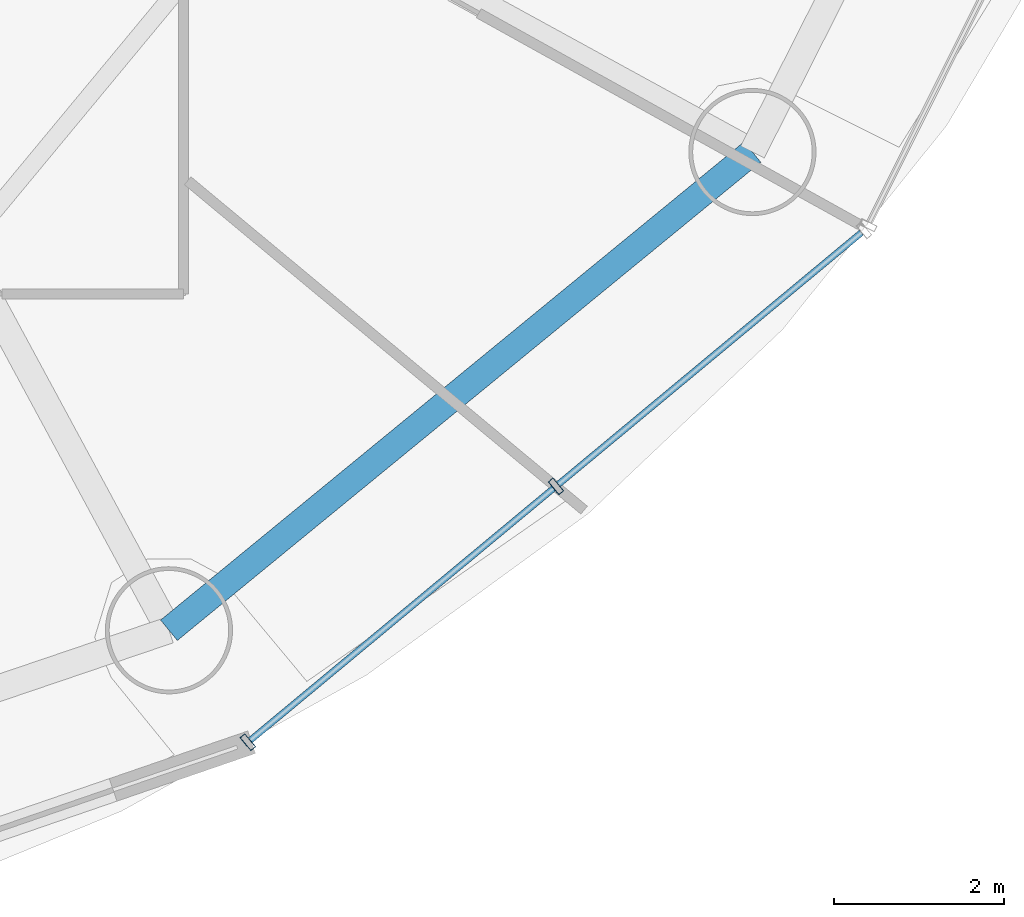
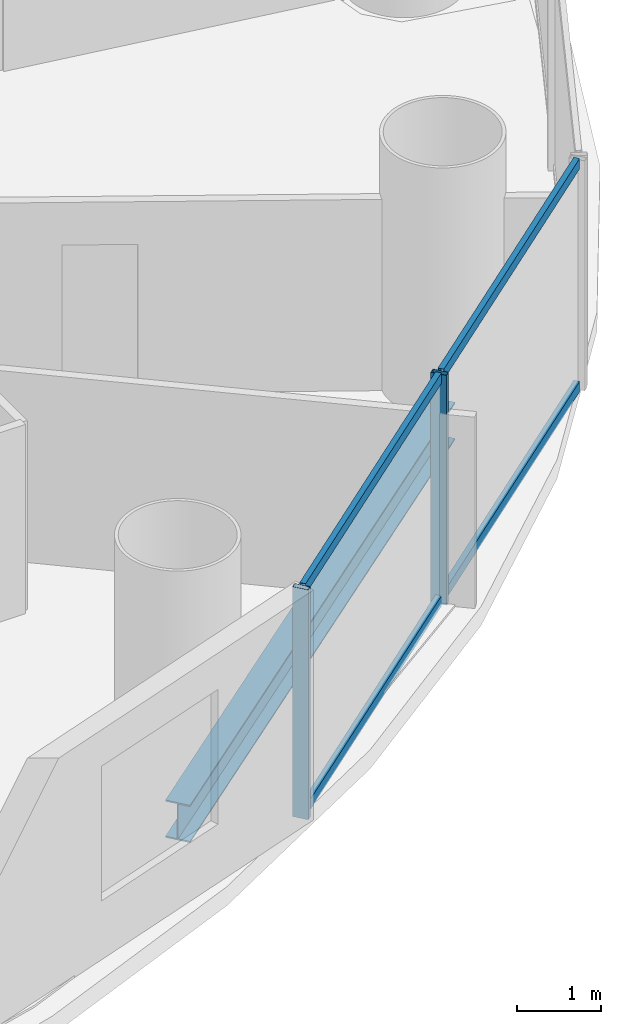
# One storey, part 11 of 29: 6 members, 1 beam, 1 element without a shape of its own.
"""IFC4 building model written with IfcOpenShell, lengths in metres."""

from ifc_helpers import new_model, si_unit, direction, frame, origin, origin_2d, place, context, subcontext, project, spatial, hollow_rectangle, i_section, extrude, source, transform, mapped, material, material_profile, profile_set, type_object, element, aggregate, save


model = new_model("IFC4")

# Units and contexts
model_context = context("Model", 3, precision=1e-05, world=origin(), true_north=direction((-0.2419218956, 0.970295726276)))
body_context = subcontext(model_context, "Body", "Model", "MODEL_VIEW")
ifc_project = project(units=[si_unit("LENGTHUNIT", "METRE"), si_unit("AREAUNIT", "SQUARE_METRE"), si_unit("VOLUMEUNIT", "CUBIC_METRE"), si_unit("PLANEANGLEUNIT", "RADIAN"), si_unit("MASSUNIT", "GRAM", prefix="KILO")], contexts=[model_context])

# Site, building, storey
site_placement = place(None, origin())
site = spatial("IfcSite", under=ifc_project, at=site_placement, CompositionType="ELEMENT")
building_placement = place(site_placement, origin())
building = spatial("IfcBuilding", under=site, at=building_placement, Name="Cobrevalo Terracotta Tower", CompositionType="ELEMENT")
storey_placement = place(building_placement, frame((0.0, 0.0, 87.0)))
storey = spatial("IfcBuildingStorey", under=building, at=storey_placement, Name="L22", CompositionType="ELEMENT", Elevation=87.0)

# Beam
ifc_material_1 = material(Name="Steel S355", Category="steel")
ifc_material_profile_1 = material_profile(ifc_material_1, i_section(OverallWidth=0.31201171875, OverallDepth=0.54296875, WebThickness=0.0126953125, FlangeThickness=0.020263671875, at=origin_2d()), Name="W 530x150")
ifc_profile_set_1 = profile_set([ifc_material_profile_1], Name="Steel S355")
beam_type = type_object("IfcBeamType", Name="Structural Spandrel W 530x150 (Steel S355)", PredefinedType="SPANDREL", material=ifc_profile_set_1)
beam_placement = place(storey_placement, frame((51.861572265625, 9.79638671875, -0.54638671875), z_axis=(0.773400923541, 0.633917196064, 0.0), x_axis=(-0.633917196064, 0.773400923541, 0.0)))
element("IfcBeam", 1, at=beam_placement, inside=storey, type_object=beam_type, Name="L22 perimeter ring spandrel 14", PredefinedType="SPANDREL", context=body_context, shape_type="SweptSolid", body=[
    extrude(i_section(OverallWidth=0.31201171875, OverallDepth=0.54296875, WebThickness=0.0126953125, FlangeThickness=0.020263671875, at=origin_2d()), origin(), (0.0, 0.0, 1.0), 8.900390625),
])

# Curtain wall, members
ifc_material_2 = material(Name="Anodized aluminium", Category="aluminium")
curtain_wall_type = type_object("IfcCurtainWallType", Name="Lower-tower unitised acoustic low-E curtain wall CW-U1", PredefinedType="NOTDEFINED", material=ifc_material_2)
curtain_wall_placement = place(storey_placement, origin())
curtain_wall = element("IfcCurtainWall", 2, at=curtain_wall_placement, inside=storey, type_object=curtain_wall_type, Name="L22 curtain wall CW-L22-S14", PredefinedType="NOTDEFINED")
ifc_material_profile_2 = material_profile(ifc_material_2, hollow_rectangle(XDim=0.074951171875, YDim=0.199951171875, WallThickness=0.0048828125, at=origin_2d()), Name="CWM 75x200")
ifc_profile_set_2 = profile_set([ifc_material_profile_2], Name="Anodized aluminium")
member_type_1 = type_object("IfcMemberType", Name="Lower/mid tower unitised mullion 75x200", PredefinedType="MULLION", material=ifc_profile_set_2)
shared_shape_1 = source(origin(), body_context, "Body", "SweptSolid", [
    extrude(hollow_rectangle(XDim=0.074951171875, YDim=0.199951171875, WallThickness=0.0048828125, at=origin_2d()), origin(), (0.0, 0.0, 1.0), 3.324951171875),
])
member_1_placement = place(storey_placement, frame((52.792236328125, 8.47509765625, 0.0), z_axis=(0.0, 0.0, 1.0), x_axis=(0.769243451658, 0.638955798222, 0.0)))
member_1 = element("IfcMember", 3, at=member_1_placement, type_object=member_type_1, Name="CW-L22-S14 vertical mullion 01", PredefinedType="MULLION", context=body_context, shape_type="MappedRepresentation", body=[
    mapped(shared_shape_1, transform((0.0, 0.0, 0.0), scale=1.0)),
])
member_2_placement = place(storey_placement, frame((56.4267578125, 11.493896484375, 0.0), z_axis=(0.0, 0.0, 1.0), x_axis=(0.769243451658, 0.638955798222, 0.0)))
member_2 = element("IfcMember", 4, at=member_2_placement, type_object=member_type_1, Name="CW-L22-S14 vertical mullion 02", PredefinedType="MULLION", context=body_context, shape_type="MappedRepresentation", body=[
    mapped(shared_shape_1, transform((0.0, 0.0, 0.0), scale=1.0)),
])
ifc_material_profile_3 = material_profile(ifc_material_2, hollow_rectangle(XDim=0.074951171875, YDim=0.14990234375, WallThickness=0.00439453125, at=origin_2d()), Name="CWT 75x150")
ifc_profile_set_3 = profile_set([ifc_material_profile_3], Name="Anodized aluminium")
member_type_2 = type_object("IfcMemberType", Name="Tower unitised aluminium transom 75x150", PredefinedType="USERDEFINED", material=ifc_profile_set_3)
shared_shape_2 = source(origin(), body_context, "Body", "SweptSolid", [
    extrude(hollow_rectangle(XDim=0.074951171875, YDim=0.14990234375, WallThickness=0.00439453125, at=origin_2d()), origin(), (0.0, 0.0, 1.0), 4.64501953125),
])
member_3_placement = place(storey_placement, frame((52.822998046875, 8.50048828125, 0.050048828125), z_axis=(0.769224156193, 0.638979027457, 0.0), x_axis=(-0.638979027457, 0.769224156193, 0.0)))
member_3 = element("IfcMember", 5, at=member_3_placement, type_object=member_type_2, Name="CW-L22-S14 transom B01-T1", ObjectType="TRANSOM", PredefinedType="USERDEFINED", context=body_context, shape_type="MappedRepresentation", body=[
    mapped(shared_shape_2, transform((0.0, 0.0, 0.0), scale=1.0)),
])
member_4_placement = place(storey_placement, frame((52.822998046875, 8.50048828125, 3.27490234375), z_axis=(0.769224156193, 0.638979027457, 0.0), x_axis=(-0.638979027457, 0.769224156193, 0.0)))
member_4 = element("IfcMember", 6, at=member_4_placement, type_object=member_type_2, Name="CW-L22-S14 transom B01-T2", ObjectType="TRANSOM", PredefinedType="USERDEFINED", context=body_context, shape_type="MappedRepresentation", body=[
    mapped(shared_shape_2, transform((0.0, 0.0, 0.0), scale=1.0)),
])
member_5_placement = place(storey_placement, frame((56.45751953125, 11.51953125, 0.050048828125), z_axis=(0.769224156193, 0.638979027457, 0.0), x_axis=(-0.638979027457, 0.769224156193, 0.0)))
member_5 = element("IfcMember", 7, at=member_5_placement, type_object=member_type_2, Name="CW-L22-S14 transom B02-T1", ObjectType="TRANSOM", PredefinedType="USERDEFINED", context=body_context, shape_type="MappedRepresentation", body=[
    mapped(shared_shape_2, transform((0.0, 0.0, 0.0), scale=1.0)),
])
member_6_placement = place(storey_placement, frame((56.45751953125, 11.51953125, 3.27490234375), z_axis=(0.769224156193, 0.638979027457, 0.0), x_axis=(-0.638979027457, 0.769224156193, 0.0)))
member_6 = element("IfcMember", 8, at=member_6_placement, type_object=member_type_2, Name="CW-L22-S14 transom B02-T2", ObjectType="TRANSOM", PredefinedType="USERDEFINED", context=body_context, shape_type="MappedRepresentation", body=[
    mapped(shared_shape_2, transform((0.0, 0.0, 0.0), scale=1.0)),
])
aggregate(curtain_wall, [member_1, member_2, member_3, member_4, member_5, member_6])

save(model, "model.ifc")
